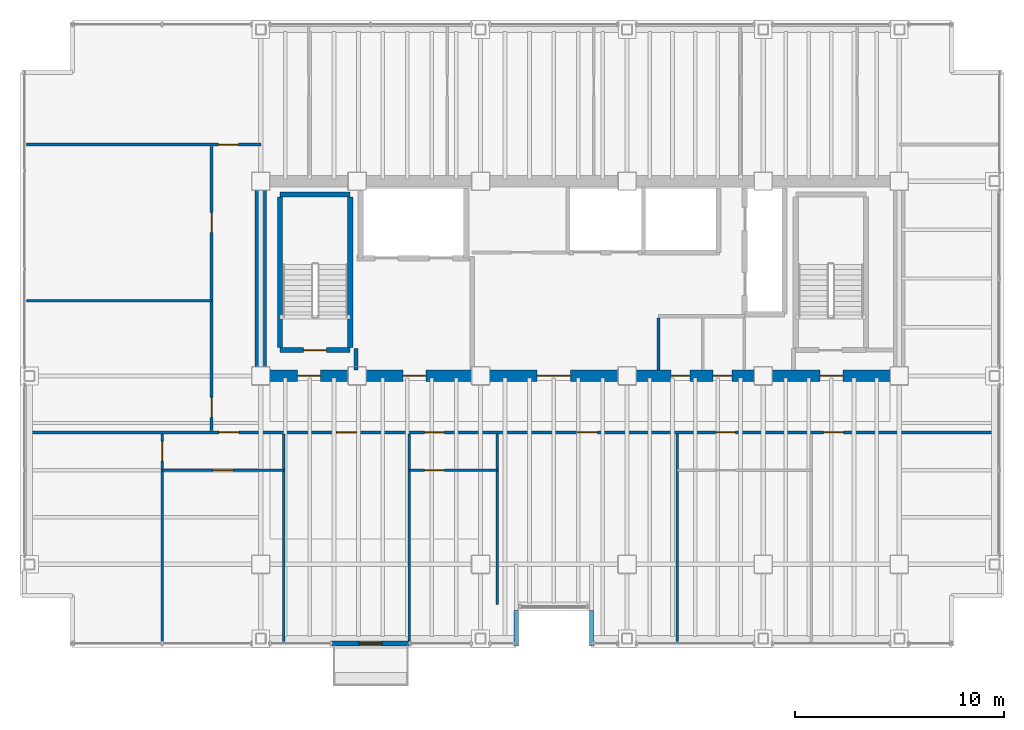
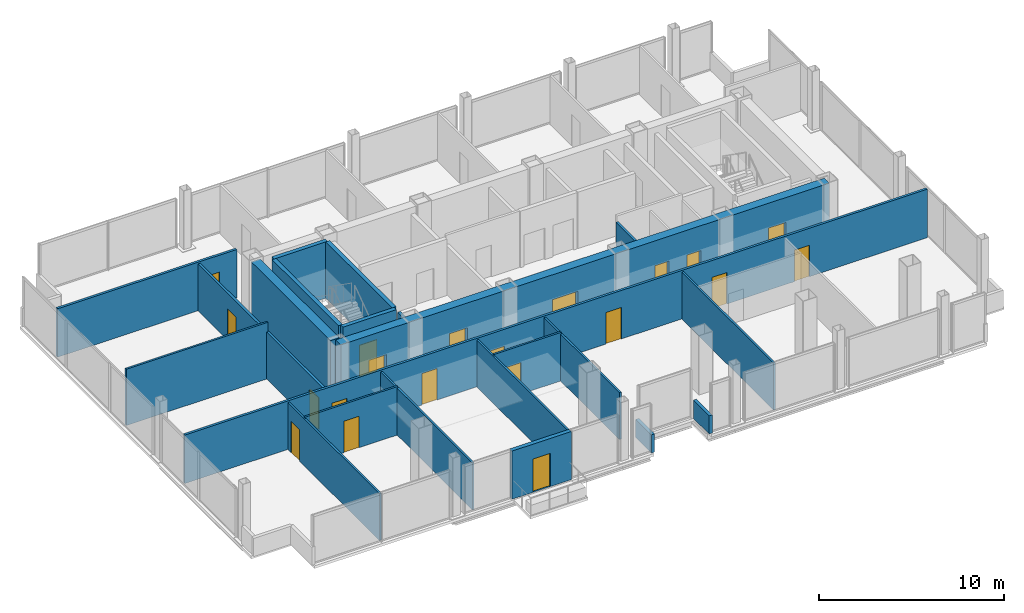
# One storey, part 16 of 19: 22 walls, 20 doors, 20 openings.
"""IFC4 building model written with IfcOpenShell, lengths in metres."""

from ifc_helpers import new_model, si_unit, direction, frame, frame_2d, origin, place, context, subcontext, project, spatial, rectangle, extrude, material, layer, layer_set, type_object, element, fill, save


model = new_model("IFC4")

# Units and contexts
model_context = context("Model", 3, precision=1e-05, world=origin(), true_north=direction((0.0, 1.0)))
body_context = subcontext(model_context, "Body", "Model", "MODEL_VIEW")
ifc_project = project(units=[si_unit("LENGTHUNIT", "METRE"), si_unit("AREAUNIT", "SQUARE_METRE"), si_unit("VOLUMEUNIT", "CUBIC_METRE"), si_unit("PLANEANGLEUNIT", "RADIAN"), si_unit("MASSUNIT", "GRAM", prefix="KILO")], contexts=[model_context])

# Site, building, storey
site_placement = place(None, origin())
site = spatial("IfcSite", under=ifc_project, at=site_placement, CompositionType="ELEMENT")
building_placement = place(site_placement, origin())
building = spatial("IfcBuilding", under=site, at=building_placement, Name="Noeulbin Bourse Tower", CompositionType="ELEMENT")
storey_placement = place(building_placement, frame((0.0, 0.0, 157.800048828125)))
storey = spatial("IfcBuildingStorey", under=building, at=storey_placement, Name="L39", CompositionType="ELEMENT", Elevation=157.800048828125)

# Wall, openings, doors
ifc_material_1 = material(Name="Concrete C60/75", Category="concrete")
ifc_layer_1 = layer(ifc_material_1, 0.550048828125)
ifc_layer_set_1 = layer_set([ifc_layer_1], Name="Concrete C60/75")
wall_type_1 = type_object("IfcWallType", Name="WAL-CORE-550", PredefinedType="SHEAR", material=ifc_layer_set_1)
wall_1_placement = place(storey_placement, frame((13.5, 29.0, 0.0), z_axis=(0.0, 0.0, 1.0), x_axis=(1.0, 0.0, 0.0)))
wall_1 = element("IfcWall", 1, at=wall_1_placement, inside=storey, type_object=wall_type_1, Name="Rear Core South Shear Wall L39", PredefinedType="SHEAR", context=body_context, shape_type="SweptSolid", body=[
    extrude(rectangle(XDim=30.5, YDim=0.550048828125, at=frame_2d((15.25, 0.0))), origin(), (0.0, 0.0, 1.0), 3.719970703125),
])
opening_1_placement = place(wall_1_placement, frame((1.75, 0.0, 0.0)))
opening_1 = element("IfcOpeningElement", 2, at=opening_1_placement, cuts=wall_1, Name="Opening FD-11", PredefinedType="OPENING", context=body_context, shape_type="SweptSolid", body=[
    extrude(rectangle(XDim=1.10009765625, YDim=2.080078125, at=frame_2d((0.550048828125, 1.0400390625))), frame((0.0, 0.284912109375, 0.0), z_axis=(0.0, -1.0, 0.0), x_axis=(1.0, 0.0, 0.0)), (0.0, 0.0, 1.0), 0.570068359375),
])
opening_2_placement = place(wall_1_placement, frame((26.699951171875, 0.0, 0.0)))
opening_2 = element("IfcOpeningElement", 3, at=opening_2_placement, cuts=wall_1, Name="Opening FD-11", PredefinedType="OPENING", context=body_context, shape_type="SweptSolid", body=[
    extrude(rectangle(XDim=1.10009765625, YDim=2.080078125, at=frame_2d((0.550048828125, 1.0400390625))), frame((0.0, 0.284912109375, 0.0), z_axis=(0.0, -1.0, 0.0), x_axis=(1.0, 0.0, 0.0)), (0.0, 0.0, 1.0), 0.570068359375),
])
opening_3_placement = place(wall_1_placement, frame((6.800048828125, 0.0, 0.0)))
opening_3 = element("IfcOpeningElement", 4, at=opening_3_placement, cuts=wall_1, Name="Opening FD-11", PredefinedType="OPENING", context=body_context, shape_type="SweptSolid", body=[
    extrude(rectangle(XDim=1.10009765625, YDim=2.080078125, at=frame_2d((0.550048828125, 1.0400390625))), frame((0.0, 0.284912109375, 0.0), z_axis=(0.0, -1.0, 0.0), x_axis=(1.0, 0.0, 0.0)), (0.0, 0.0, 1.0), 0.570068359375),
])
opening_4_placement = place(wall_1_placement, frame((13.199951171875, 0.0, 0.0)))
opening_4 = element("IfcOpeningElement", 5, at=opening_4_placement, cuts=wall_1, Name="Opening ID-16", PredefinedType="OPENING", context=body_context, shape_type="SweptSolid", body=[
    extrude(rectangle(XDim=1.60009765625, YDim=2.080078125, at=frame_2d((0.800048828125, 1.0400390625))), frame((0.0, 0.284912109375, 0.0), z_axis=(0.0, -1.0, 0.0), x_axis=(1.0, 0.0, 0.0)), (0.0, 0.0, 1.0), 0.570068359375),
])
opening_5_placement = place(wall_1_placement, frame((19.60009765625, 0.0, 0.0)))
opening_5 = element("IfcOpeningElement", 6, at=opening_5_placement, cuts=wall_1, Name="Opening FD-09", PredefinedType="OPENING", context=body_context, shape_type="SweptSolid", body=[
    extrude(rectangle(XDim=0.89990234375, YDim=2.080078125, at=frame_2d((0.449951171875, 1.0400390625))), frame((0.0, 0.284912109375, 0.0), z_axis=(0.0, -1.0, 0.0), x_axis=(1.0, 0.0, 0.0)), (0.0, 0.0, 1.0), 0.570068359375),
])
opening_6_placement = place(wall_1_placement, frame((21.60009765625, 0.0, 0.0)))
opening_6 = element("IfcOpeningElement", 7, at=opening_6_placement, cuts=wall_1, Name="Opening FD-09", PredefinedType="OPENING", context=body_context, shape_type="SweptSolid", body=[
    extrude(rectangle(XDim=0.89990234375, YDim=2.080078125, at=frame_2d((0.449951171875, 1.0400390625))), frame((0.0, 0.284912109375, 0.0), z_axis=(0.0, -1.0, 0.0), x_axis=(1.0, 0.0, 0.0)), (0.0, 0.0, 1.0), 0.570068359375),
])
ifc_material_2 = material(Name="Acoustic Glazed Aluminium", Category="aluminium")
door_type_1 = type_object("IfcDoorType", Name="DR-DBL-1600", OperationType="DOUBLE_DOOR_SINGLE_SWING", PredefinedType="DOOR", material=ifc_material_2)
door_1_placement = place(opening_4_placement, origin())
door_1 = element("IfcDoor", 8, at=door_1_placement, inside=storey, type_object=door_type_1, Name="Passenger Lift Lobby Portal L39", OperationType="DOUBLE_DOOR_SINGLE_SWING", OverallHeight=2.080078125, OverallWidth=1.60009765625, PredefinedType="DOOR", context=body_context, shape_type="SweptSolid", body=[
    extrude(rectangle(XDim=1.60009765625, YDim=2.080078125, at=frame_2d((0.800048828125, 1.0400390625))), frame((0.0, 0.02490234375, 0.0), z_axis=(0.0, -1.0, 0.0), x_axis=(1.0, 0.0, 0.0)), (0.0, 0.0, 1.0), 0.050048828125),
])
fill(opening_4, door_1)
ifc_material_3 = material(Name="Fire-Rated Timber Core", Category="wood")
door_type_2 = type_object("IfcDoorType", Name="DR-FD30-900", OperationType="SINGLE_SWING_RIGHT", PredefinedType="DOOR", material=ifc_material_3)
door_2_placement = place(opening_5_placement, origin())
door_2 = element("IfcDoor", 9, at=door_2_placement, inside=storey, type_object=door_type_2, Name="Interior Door L39-06", OperationType="SINGLE_SWING_RIGHT", OverallHeight=2.080078125, OverallWidth=0.89990234375, PredefinedType="DOOR", context=body_context, shape_type="SweptSolid", body=[
    extrude(rectangle(XDim=0.89990234375, YDim=2.080078125, at=frame_2d((0.449951171875, 1.0400390625))), frame((0.0, 0.02490234375, 0.0), z_axis=(0.0, -1.0, 0.0), x_axis=(1.0, 0.0, 0.0)), (0.0, 0.0, 1.0), 0.050048828125),
])
fill(opening_5, door_2)
door_3_placement = place(opening_6_placement, origin())
door_3 = element("IfcDoor", 10, at=door_3_placement, inside=storey, type_object=door_type_2, Name="Interior Door L39-07", OperationType="SINGLE_SWING_LEFT", OverallHeight=2.080078125, OverallWidth=0.89990234375, PredefinedType="DOOR", context=body_context, shape_type="SweptSolid", body=[
    extrude(rectangle(XDim=0.89990234375, YDim=2.080078125, at=frame_2d((0.449951171875, 1.0400390625))), frame((0.0, 0.02490234375, 0.0), z_axis=(0.0, -1.0, 0.0), x_axis=(1.0, 0.0, 0.0)), (0.0, 0.0, 1.0), 0.050048828125),
])
fill(opening_6, door_3)
ifc_material_4 = material(Name="Fire-Rated Insulated Steel", Category="steel")
door_type_3 = type_object("IfcDoorType", Name="DR-FD60-1100", OperationType="SINGLE_SWING_LEFT", PredefinedType="DOOR", material=ifc_material_4)
door_4_placement = place(opening_1_placement, origin())
door_4 = element("IfcDoor", 11, at=door_4_placement, inside=storey, type_object=door_type_3, Name="West Stair Lobby Door L39", OperationType="SINGLE_SWING_LEFT", OverallHeight=2.080078125, OverallWidth=1.10009765625, PredefinedType="DOOR", context=body_context, shape_type="SweptSolid", body=[
    extrude(rectangle(XDim=1.10009765625, YDim=2.080078125, at=frame_2d((0.550048828125, 1.0400390625))), frame((0.0, 0.02490234375, 0.0), z_axis=(0.0, -1.0, 0.0), x_axis=(1.0, 0.0, 0.0)), (0.0, 0.0, 1.0), 0.050048828125),
])
fill(opening_1, door_4)
door_5_placement = place(opening_2_placement, origin())
door_5 = element("IfcDoor", 12, at=door_5_placement, inside=storey, type_object=door_type_3, Name="East Stair Lobby Door L39", OperationType="SINGLE_SWING_RIGHT", OverallHeight=2.080078125, OverallWidth=1.10009765625, PredefinedType="DOOR", context=body_context, shape_type="SweptSolid", body=[
    extrude(rectangle(XDim=1.10009765625, YDim=2.080078125, at=frame_2d((0.550048828125, 1.0400390625))), frame((0.0, 0.02490234375, 0.0), z_axis=(0.0, -1.0, 0.0), x_axis=(1.0, 0.0, 0.0)), (0.0, 0.0, 1.0), 0.050048828125),
])
fill(opening_2, door_5)
door_6_placement = place(opening_3_placement, origin())
door_6 = element("IfcDoor", 13, at=door_6_placement, inside=storey, type_object=door_type_3, Name="Firefighting Lobby Door L39", OperationType="SINGLE_SWING_LEFT", OverallHeight=2.080078125, OverallWidth=1.10009765625, PredefinedType="DOOR", context=body_context, shape_type="SweptSolid", body=[
    extrude(rectangle(XDim=1.10009765625, YDim=2.080078125, at=frame_2d((0.550048828125, 1.0400390625))), frame((0.0, 0.02490234375, 0.0), z_axis=(0.0, -1.0, 0.0), x_axis=(1.0, 0.0, 0.0)), (0.0, 0.0, 1.0), 0.050048828125),
])
fill(opening_3, door_6)

# Wall
wall_2_placement = place(storey_placement, frame((13.5, 29.35009765625, 0.0), z_axis=(0.0, 0.0, 1.0), x_axis=(0.0, 1.0, 0.0)))
element("IfcWall", 14, at=wall_2_placement, inside=storey, type_object=wall_type_1, Name="Rear Core West Shear Wall L39", PredefinedType="SHEAR", context=body_context, shape_type="SweptSolid", body=[
    extrude(rectangle(XDim=8.599853515625, YDim=0.550048828125, at=frame_2d((4.2998046875, 0.0))), origin(), (0.0, 0.0, 1.0), 3.719970703125),
])

# Wall, opening, door
ifc_material_5 = material(Name="Precast Concrete C40/50", Category="concrete")
ifc_layer_2 = layer(ifc_material_5, 0.25)
ifc_layer_set_2 = layer_set([ifc_layer_2], Name="Precast Concrete C40/50")
wall_type_2 = type_object("IfcWallType", Name="WAL-EXT-250", PredefinedType="STANDARD", material=ifc_layer_set_2)
wall_3_placement = place(storey_placement, frame((16.89990234375, 16.219970703125, 0.0), z_axis=(0.0, 0.0, 1.0), x_axis=(1.0, 0.0, 0.0)))
wall_3 = element("IfcWall", 15, at=wall_3_placement, inside=storey, type_object=wall_type_2, Name="Balcony Threshold Wall L39", PredefinedType="STANDARD", context=body_context, shape_type="SweptSolid", body=[
    extrude(rectangle(XDim=3.7001953125, YDim=0.25, at=frame_2d((1.85009765625, 0.0))), origin(), (0.0, 0.0, 1.0), 3.179931640625),
])
opening_7_placement = place(wall_3_placement, frame((1.300048828125, 0.0, 0.0)))
opening_7 = element("IfcOpeningElement", 16, at=opening_7_placement, cuts=wall_3, Name="Opening BD-11", PredefinedType="OPENING", context=body_context, shape_type="SweptSolid", body=[
    extrude(rectangle(XDim=1.10009765625, YDim=2.199951171875, at=frame_2d((0.550048828125, 1.10009765625))), frame((0.0, 0.135009765625, 0.0), z_axis=(0.0, -1.0, 0.0), x_axis=(1.0, 0.0, 0.0)), (0.0, 0.0, 1.0), 0.27001953125),
])
ifc_material_6 = material(Name="Thermally Broken Aluminium Framed Glass", Category="aluminium")
door_type_4 = type_object("IfcDoorType", Name="DR-BAL-1100", OperationType="SINGLE_SWING_LEFT", PredefinedType="DOOR", material=ifc_material_6)
door_7_placement = place(opening_7_placement, origin())
door_7 = element("IfcDoor", 17, at=door_7_placement, inside=storey, type_object=door_type_4, Name="Tree-Balcony Access Door BD-L39", OperationType="SINGLE_SWING_LEFT", OverallHeight=2.199951171875, OverallWidth=1.10009765625, PredefinedType="DOOR", context=body_context, shape_type="SweptSolid", body=[
    extrude(rectangle(XDim=1.10009765625, YDim=2.199951171875, at=frame_2d((0.550048828125, 1.10009765625))), frame((0.0, 0.02490234375, 0.0), z_axis=(0.0, -1.0, 0.0), x_axis=(1.0, 0.0, 0.0)), (0.0, 0.0, 1.0), 0.050048828125),
])
fill(opening_7, door_7)

# Walls
ifc_material_7 = material(Name="Concrete C40/50", Category="concrete")
ifc_layer_3 = layer(ifc_material_7, 0.199951171875)
ifc_layer_set_3 = layer_set([ifc_layer_3], Name="Concrete C40/50")
wall_type_3 = type_object("IfcWallType", Name="WAL-FIRE-200", PredefinedType="STANDARD", material=ifc_layer_set_3)
wall_4_placement = place(storey_placement, frame((18.050048828125, 29.284912109375, 0.0), z_axis=(0.0, 0.0, 1.0), x_axis=(0.0, 1.0, 0.0)))
element("IfcWall", 18, at=wall_4_placement, inside=storey, type_object=wall_type_3, Name="Interior Partition Wall L39-11", PredefinedType="STANDARD", context=body_context, shape_type="SweptSolid", body=[
    extrude(rectangle(XDim=1.01513671875, YDim=0.199951171875, at=frame_2d((0.507568359375, 0.0))), origin(), (0.0, 0.0, 1.0), 3.349853515625),
])
ifc_layer_4 = layer(ifc_material_7, 0.199951171875)
ifc_layer_set_4 = layer_set([ifc_layer_4], Name="Concrete C40/50")
wall_type_4 = type_object("IfcWallType", Name="WAL-PAR-200", PredefinedType="PARAPET", material=ifc_layer_set_4)
for number, where, z_axis, x_axis, name in (
    (19, (25.699951171875, 16.10009765625, 0.0), (0.0, 0.0, 1.0), (0.0, 1.0, 0.0), "Sky-Garden Recess Parapet L39-W"),
    (20, (29.300048828125, 17.800048828125, 0.0), (0.0, 0.0, 1.0), (0.0, -1.0, 0.0), "Sky-Garden Recess Parapet L39-E"),
):
    element("IfcWall", number, at=place(storey_placement, frame(where, z_axis=z_axis, x_axis=x_axis)), inside=storey, type_object=wall_type_4, Name=name, PredefinedType="PARAPET", context=body_context, shape_type="SweptSolid", body=[
        extrude(rectangle(XDim=1.699951171875, YDim=0.199951171875, at=frame_2d((0.85009765625, 0.0))), origin(), (0.0, 0.0, 1.0), 1.199951171875),
    ])

# Wall, opening, door
ifc_material_8 = material(Name="Steel Stud Gypsum Partition", Category="steel")
ifc_layer_5 = layer(ifc_material_8, 0.1201171875)
ifc_layer_set_5 = layer_set([ifc_layer_5], Name="Steel Stud Gypsum Partition")
wall_type_5 = type_object("IfcWallType", Name="WAL-PRT-120", PredefinedType="PARTITIONING", material=ifc_layer_set_5)
wall_5_placement = place(storey_placement, frame((8.800048828125, 24.5, 0.0), z_axis=(0.0, 0.0, 1.0), x_axis=(1.0, 0.0, 0.0)))
wall_5 = element("IfcWall", 21, at=wall_5_placement, inside=storey, type_object=wall_type_5, Name="Interior Partition Wall L39-05", PredefinedType="PARTITIONING", context=body_context, shape_type="SweptSolid", body=[
    extrude(rectangle(XDim=5.800048828125, YDim=0.1201171875, at=frame_2d((2.89990234375, 0.0))), origin(), (0.0, 0.0, 1.0), 3.199951171875),
])
opening_8_placement = place(wall_5_placement, frame((2.425048828125, 0.0, 0.0)))
opening_8 = element("IfcOpeningElement", 22, at=opening_8_placement, cuts=wall_5, Name="Opening ID-09", PredefinedType="OPENING", context=body_context, shape_type="SweptSolid", body=[
    extrude(rectangle(XDim=0.949951171875, YDim=2.080078125, at=frame_2d((0.47509765625, 1.0400390625))), frame((0.0, 0.070068359375, 0.0), z_axis=(0.0, -1.0, 0.0), x_axis=(1.0, 0.0, 0.0)), (0.0, 0.0, 1.0), 0.14013671875),
])
ifc_material_9 = material(Name="Acoustic Solid-Core Timber", Category="wood")
door_type_5 = type_object("IfcDoorType", Name="DR-SINGLE-950", OperationType="SINGLE_SWING_LEFT", PredefinedType="DOOR", material=ifc_material_9)
door_8_placement = place(opening_8_placement, origin())
door_8 = element("IfcDoor", 23, at=door_8_placement, inside=storey, type_object=door_type_5, Name="Interior Door L39-09", OperationType="SINGLE_SWING_LEFT", OverallHeight=2.080078125, OverallWidth=0.949951171875, PredefinedType="DOOR", context=body_context, shape_type="SweptSolid", body=[
    extrude(rectangle(XDim=0.949951171875, YDim=2.080078125, at=frame_2d((0.47509765625, 1.0400390625))), frame((0.0, 0.02490234375, 0.0), z_axis=(0.0, -1.0, 0.0), x_axis=(1.0, 0.0, 0.0)), (0.0, 0.0, 1.0), 0.050048828125),
])
fill(opening_8, door_8)

wall_6_placement = place(storey_placement, frame((20.60009765625, 24.5, 0.0), z_axis=(0.0, 0.0, 1.0), x_axis=(1.0, 0.0, 0.0)))
wall_6 = element("IfcWall", 24, at=wall_6_placement, inside=storey, type_object=wall_type_5, Name="Interior Partition Wall L39-06", PredefinedType="PARTITIONING", context=body_context, shape_type="SweptSolid", body=[
    extrude(rectangle(XDim=4.199951171875, YDim=0.1201171875, at=frame_2d((2.10009765625, 0.0))), origin(), (0.0, 0.0, 1.0), 3.199951171875),
])
opening_9_placement = place(wall_6_placement, frame((0.72509765625, 0.0, 0.0)))
opening_9 = element("IfcOpeningElement", 25, at=opening_9_placement, cuts=wall_6, Name="Opening ID-09", PredefinedType="OPENING", context=body_context, shape_type="SweptSolid", body=[
    extrude(rectangle(XDim=0.949951171875, YDim=2.080078125, at=frame_2d((0.47509765625, 1.0400390625))), frame((0.0, 0.070068359375, 0.0), z_axis=(0.0, -1.0, 0.0), x_axis=(1.0, 0.0, 0.0)), (0.0, 0.0, 1.0), 0.14013671875),
])
door_9_placement = place(opening_9_placement, origin())
door_9 = element("IfcDoor", 26, at=door_9_placement, inside=storey, type_object=door_type_5, Name="Interior Door L39-12", OperationType="SINGLE_SWING_RIGHT", OverallHeight=2.080078125, OverallWidth=0.949951171875, PredefinedType="DOOR", context=body_context, shape_type="SweptSolid", body=[
    extrude(rectangle(XDim=0.949951171875, YDim=2.080078125, at=frame_2d((0.47509765625, 1.0400390625))), frame((0.0, 0.02490234375, 0.0), z_axis=(0.0, -1.0, 0.0), x_axis=(1.0, 0.0, 0.0)), (0.0, 0.0, 1.0), 0.050048828125),
])
fill(opening_9, door_9)

# Wall
wall_7_placement = place(storey_placement, frame((2.31005859375, 32.60009765625, 0.0), z_axis=(0.0, 0.0, 1.0), x_axis=(1.0, 0.0, 0.0)))
element("IfcWall", 27, at=wall_7_placement, inside=storey, type_object=wall_type_5, Name="Interior Partition Wall L39-08", PredefinedType="PARTITIONING", context=body_context, shape_type="SweptSolid", body=[
    extrude(rectangle(XDim=8.83984375, YDim=0.1201171875, at=frame_2d((4.419921875, 0.0))), origin(), (0.0, 0.0, 1.0), 3.719970703125),
])

# Wall, opening, door
wall_8_placement = place(storey_placement, frame((8.800048828125, 16.31005859375, 0.0), z_axis=(0.0, 0.0, 1.0), x_axis=(0.0, 1.0, 0.0)))
wall_8 = element("IfcWall", 28, at=wall_8_placement, inside=storey, type_object=wall_type_5, Name="Interior Partition Wall L39-18", PredefinedType="PARTITIONING", context=body_context, shape_type="SweptSolid", body=[
    extrude(rectangle(XDim=9.905029296875, YDim=0.1201171875, at=frame_2d((4.95263671875, 0.0))), origin(), (0.0, 0.0, 1.0), 3.099853515625),
])
opening_10_placement = place(wall_8_placement, frame((8.614990234375, 0.0, 0.0)))
opening_10 = element("IfcOpeningElement", 29, at=opening_10_placement, cuts=wall_8, Name="Opening ID-09", PredefinedType="OPENING", context=body_context, shape_type="SweptSolid", body=[
    extrude(rectangle(XDim=0.949951171875, YDim=2.080078125, at=frame_2d((0.47509765625, 1.0400390625))), frame((0.0, 0.070068359375, 0.0), z_axis=(0.0, -1.0, 0.0), x_axis=(1.0, 0.0, 0.0)), (0.0, 0.0, 1.0), 0.14013671875),
])
door_10_placement = place(opening_10_placement, origin())
door_10 = element("IfcDoor", 30, at=door_10_placement, inside=storey, type_object=door_type_5, Name="Interior Door L39-08", OperationType="SINGLE_SWING_RIGHT", OverallHeight=2.080078125, OverallWidth=0.949951171875, PredefinedType="DOOR", context=body_context, shape_type="SweptSolid", body=[
    extrude(rectangle(XDim=0.949951171875, YDim=2.080078125, at=frame_2d((0.47509765625, 1.0400390625))), frame((0.0, 0.02490234375, 0.0), z_axis=(0.0, -1.0, 0.0), x_axis=(1.0, 0.0, 0.0)), (0.0, 0.0, 1.0), 0.050048828125),
])
fill(opening_10, door_10)

# Walls
for number, where, z_axis, x_axis, name in (
    (31, (14.60009765625, 16.31005859375, 0.0), (0.0, 0.0, 1.0), (0.0, 1.0, 0.0), "Interior Partition Wall L39-19"),
    (32, (20.60009765625, 16.31005859375, 0.0), (0.0, 0.0, 1.0), (0.0, 1.0, 0.0), "Interior Partition Wall L39-20"),
):
    element("IfcWall", number, at=place(storey_placement, frame(where, z_axis=z_axis, x_axis=x_axis)), inside=storey, type_object=wall_type_5, Name=name, PredefinedType="PARTITIONING", context=body_context, shape_type="SweptSolid", body=[
        extrude(rectangle(XDim=9.905029296875, YDim=0.1201171875, at=frame_2d((4.95263671875, 0.0))), origin(), (0.0, 0.0, 1.0), 3.099853515625),
    ])
wall_9_placement = place(storey_placement, frame((24.800048828125, 18.070068359375, 0.0), z_axis=(0.0, 0.0, 1.0), x_axis=(0.0, 1.0, 0.0)))
element("IfcWall", 33, at=wall_9_placement, inside=storey, type_object=wall_type_5, Name="Interior Partition Wall L39-21", PredefinedType="PARTITIONING", context=body_context, shape_type="SweptSolid", body=[
    extrude(rectangle(XDim=8.14501953125, YDim=0.1201171875, at=frame_2d((4.072509765625, 0.0))), origin(), (0.0, 0.0, 1.0), 3.099853515625),
])
wall_10_placement = place(storey_placement, frame((33.39990234375, 16.31005859375, 0.0), z_axis=(0.0, 0.0, 1.0), x_axis=(0.0, 1.0, 0.0)))
element("IfcWall", 34, at=wall_10_placement, inside=storey, type_object=wall_type_5, Name="Interior Partition Wall L39-22", PredefinedType="PARTITIONING", context=body_context, shape_type="SweptSolid", body=[
    extrude(rectangle(XDim=9.905029296875, YDim=0.1201171875, at=frame_2d((4.95263671875, 0.0))), origin(), (0.0, 0.0, 1.0), 3.099853515625),
])

# Wall, openings, doors
ifc_material_10 = material(Name="Steel Stud Acoustic Gypsum Board", Category="steel")
ifc_layer_6 = layer(ifc_material_10, 0.14990234375)
ifc_layer_set_6 = layer_set([ifc_layer_6], Name="Steel Stud Acoustic Gypsum Board")
wall_type_6 = type_object("IfcWallType", Name="WAL-PRT-150", PredefinedType="PARTITIONING", material=ifc_layer_set_6)
wall_11_placement = place(storey_placement, frame((2.31005859375, 26.300048828125, 0.0), z_axis=(0.0, 0.0, 1.0), x_axis=(1.0, 0.0, 0.0)))
wall_11 = element("IfcWall", 35, at=wall_11_placement, inside=storey, type_object=wall_type_6, Name="Interior Partition Wall L39-04", PredefinedType="PARTITIONING", context=body_context, shape_type="SweptSolid", body=[
    extrude(rectangle(XDim=46.3798828125, YDim=0.14990234375, at=frame_2d((23.18994140625, 0.0))), origin(), (0.0, 0.0, 1.0), 3.199951171875),
])
opening_11_placement = place(wall_11_placement, frame((9.18994140625, 0.0, 0.0)))
opening_11 = element("IfcOpeningElement", 36, at=opening_11_placement, cuts=wall_11, Name="Opening ID-09", PredefinedType="OPENING", context=body_context, shape_type="SweptSolid", body=[
    extrude(rectangle(XDim=0.949951171875, YDim=2.080078125, at=frame_2d((0.47509765625, 1.0400390625))), frame((0.0, 0.0849609375, 0.0), z_axis=(0.0, -1.0, 0.0), x_axis=(1.0, 0.0, 0.0)), (0.0, 0.0, 1.0), 0.169921875),
])
opening_12_placement = place(wall_11_placement, frame((14.81494140625, 0.0, 0.0)))
opening_12 = element("IfcOpeningElement", 37, at=opening_12_placement, cuts=wall_11, Name="Opening ID-09", PredefinedType="OPENING", context=body_context, shape_type="SweptSolid", body=[
    extrude(rectangle(XDim=0.949951171875, YDim=2.080078125, at=frame_2d((0.47509765625, 1.0400390625))), frame((0.0, 0.0849609375, 0.0), z_axis=(0.0, -1.0, 0.0), x_axis=(1.0, 0.0, 0.0)), (0.0, 0.0, 1.0), 0.169921875),
])
opening_13_placement = place(wall_11_placement, frame((19.014892578125, 0.0, 0.0)))
opening_13 = element("IfcOpeningElement", 38, at=opening_13_placement, cuts=wall_11, Name="Opening ID-09", PredefinedType="OPENING", context=body_context, shape_type="SweptSolid", body=[
    extrude(rectangle(XDim=0.949951171875, YDim=2.080078125, at=frame_2d((0.47509765625, 1.0400390625))), frame((0.0, 0.0849609375, 0.0), z_axis=(0.0, -1.0, 0.0), x_axis=(1.0, 0.0, 0.0)), (0.0, 0.0, 1.0), 0.169921875),
])
opening_14_placement = place(wall_11_placement, frame((26.31494140625, 0.0, 0.0)))
opening_14 = element("IfcOpeningElement", 39, at=opening_14_placement, cuts=wall_11, Name="Opening ID-09", PredefinedType="OPENING", context=body_context, shape_type="SweptSolid", body=[
    extrude(rectangle(XDim=0.949951171875, YDim=2.080078125, at=frame_2d((0.47509765625, 1.0400390625))), frame((0.0, 0.0849609375, 0.0), z_axis=(0.0, -1.0, 0.0), x_axis=(1.0, 0.0, 0.0)), (0.0, 0.0, 1.0), 0.169921875),
])
opening_15_placement = place(wall_11_placement, frame((32.9150390625, 0.0, 0.0)))
opening_15 = element("IfcOpeningElement", 40, at=opening_15_placement, cuts=wall_11, Name="Opening ID-09", PredefinedType="OPENING", context=body_context, shape_type="SweptSolid", body=[
    extrude(rectangle(XDim=0.949951171875, YDim=2.080078125, at=frame_2d((0.47509765625, 1.0400390625))), frame((0.0, 0.0849609375, 0.0), z_axis=(0.0, -1.0, 0.0), x_axis=(1.0, 0.0, 0.0)), (0.0, 0.0, 1.0), 0.169921875),
])
opening_16_placement = place(wall_11_placement, frame((38.06494140625, 0.0, 0.0)))
opening_16 = element("IfcOpeningElement", 41, at=opening_16_placement, cuts=wall_11, Name="Opening ID-09", PredefinedType="OPENING", context=body_context, shape_type="SweptSolid", body=[
    extrude(rectangle(XDim=0.949951171875, YDim=2.080078125, at=frame_2d((0.47509765625, 1.0400390625))), frame((0.0, 0.0849609375, 0.0), z_axis=(0.0, -1.0, 0.0), x_axis=(1.0, 0.0, 0.0)), (0.0, 0.0, 1.0), 0.169921875),
])
door_11_placement = place(opening_11_placement, origin())
door_11 = element("IfcDoor", 42, at=door_11_placement, inside=storey, type_object=door_type_5, Name="Interior Door L39-10", OperationType="SINGLE_SWING_RIGHT", OverallHeight=2.080078125, OverallWidth=0.949951171875, PredefinedType="DOOR", context=body_context, shape_type="SweptSolid", body=[
    extrude(rectangle(XDim=0.949951171875, YDim=2.080078125, at=frame_2d((0.47509765625, 1.0400390625))), frame((0.0, 0.02490234375, 0.0), z_axis=(0.0, -1.0, 0.0), x_axis=(1.0, 0.0, 0.0)), (0.0, 0.0, 1.0), 0.050048828125),
])
fill(opening_11, door_11)
door_12_placement = place(opening_12_placement, origin())
door_12 = element("IfcDoor", 43, at=door_12_placement, inside=storey, type_object=door_type_5, Name="Interior Door L39-11", OperationType="SINGLE_SWING_LEFT", OverallHeight=2.080078125, OverallWidth=0.949951171875, PredefinedType="DOOR", context=body_context, shape_type="SweptSolid", body=[
    extrude(rectangle(XDim=0.949951171875, YDim=2.080078125, at=frame_2d((0.47509765625, 1.0400390625))), frame((0.0, 0.02490234375, 0.0), z_axis=(0.0, -1.0, 0.0), x_axis=(1.0, 0.0, 0.0)), (0.0, 0.0, 1.0), 0.050048828125),
])
fill(opening_12, door_12)
door_13_placement = place(opening_13_placement, origin())
door_13 = element("IfcDoor", 44, at=door_13_placement, inside=storey, type_object=door_type_5, Name="Interior Door L39-13", OperationType="SINGLE_SWING_LEFT", OverallHeight=2.080078125, OverallWidth=0.949951171875, PredefinedType="DOOR", context=body_context, shape_type="SweptSolid", body=[
    extrude(rectangle(XDim=0.949951171875, YDim=2.080078125, at=frame_2d((0.47509765625, 1.0400390625))), frame((0.0, 0.02490234375, 0.0), z_axis=(0.0, -1.0, 0.0), x_axis=(1.0, 0.0, 0.0)), (0.0, 0.0, 1.0), 0.050048828125),
])
fill(opening_13, door_13)
door_14_placement = place(opening_14_placement, origin())
door_14 = element("IfcDoor", 45, at=door_14_placement, inside=storey, type_object=door_type_5, Name="Interior Door L39-14", OperationType="SINGLE_SWING_RIGHT", OverallHeight=2.080078125, OverallWidth=0.949951171875, PredefinedType="DOOR", context=body_context, shape_type="SweptSolid", body=[
    extrude(rectangle(XDim=0.949951171875, YDim=2.080078125, at=frame_2d((0.47509765625, 1.0400390625))), frame((0.0, 0.02490234375, 0.0), z_axis=(0.0, -1.0, 0.0), x_axis=(1.0, 0.0, 0.0)), (0.0, 0.0, 1.0), 0.050048828125),
])
fill(opening_14, door_14)
door_15_placement = place(opening_15_placement, origin())
door_15 = element("IfcDoor", 46, at=door_15_placement, inside=storey, type_object=door_type_5, Name="Interior Door L39-16", OperationType="SINGLE_SWING_RIGHT", OverallHeight=2.080078125, OverallWidth=0.949951171875, PredefinedType="DOOR", context=body_context, shape_type="SweptSolid", body=[
    extrude(rectangle(XDim=0.949951171875, YDim=2.080078125, at=frame_2d((0.47509765625, 1.0400390625))), frame((0.0, 0.02490234375, 0.0), z_axis=(0.0, -1.0, 0.0), x_axis=(1.0, 0.0, 0.0)), (0.0, 0.0, 1.0), 0.050048828125),
])
fill(opening_15, door_15)
door_16_placement = place(opening_16_placement, origin())
door_16 = element("IfcDoor", 47, at=door_16_placement, inside=storey, type_object=door_type_5, Name="Interior Door L39-17", OperationType="SINGLE_SWING_LEFT", OverallHeight=2.080078125, OverallWidth=0.949951171875, PredefinedType="DOOR", context=body_context, shape_type="SweptSolid", body=[
    extrude(rectangle(XDim=0.949951171875, YDim=2.080078125, at=frame_2d((0.47509765625, 1.0400390625))), frame((0.0, 0.02490234375, 0.0), z_axis=(0.0, -1.0, 0.0), x_axis=(1.0, 0.0, 0.0)), (0.0, 0.0, 1.0), 0.050048828125),
])
fill(opening_16, door_16)

# Wall, opening, door
wall_12_placement = place(storey_placement, frame((2.31005859375, 40.050048828125, 0.0), z_axis=(0.0, 0.0, 1.0), x_axis=(1.0, 0.0, 0.0)))
wall_12 = element("IfcWall", 48, at=wall_12_placement, inside=storey, type_object=wall_type_6, Name="Interior Partition Wall L39-09", PredefinedType="PARTITIONING", context=body_context, shape_type="SweptSolid", body=[
    extrude(rectangle(XDim=11.18994140625, YDim=0.14990234375, at=frame_2d((5.594970703125, 0.0))), origin(), (0.0, 0.0, 1.0), 3.199951171875),
])
opening_17_placement = place(wall_12_placement, frame((9.1650390625, 0.0, 0.0)))
opening_17 = element("IfcOpeningElement", 49, at=opening_17_placement, cuts=wall_12, Name="Opening ID-09", PredefinedType="OPENING", context=body_context, shape_type="SweptSolid", body=[
    extrude(rectangle(XDim=0.949951171875, YDim=2.080078125, at=frame_2d((0.47509765625, 1.0400390625))), frame((0.0, 0.0849609375, 0.0), z_axis=(0.0, -1.0, 0.0), x_axis=(1.0, 0.0, 0.0)), (0.0, 0.0, 1.0), 0.169921875),
])
door_17_placement = place(opening_17_placement, origin())
door_17 = element("IfcDoor", 50, at=door_17_placement, inside=storey, type_object=door_type_5, Name="Interior Door L39-20", OperationType="SINGLE_SWING_RIGHT", OverallHeight=2.080078125, OverallWidth=0.949951171875, PredefinedType="DOOR", context=body_context, shape_type="SweptSolid", body=[
    extrude(rectangle(XDim=0.949951171875, YDim=2.080078125, at=frame_2d((0.47509765625, 1.0400390625))), frame((0.0, 0.02490234375, 0.0), z_axis=(0.0, -1.0, 0.0), x_axis=(1.0, 0.0, 0.0)), (0.0, 0.0, 1.0), 0.050048828125),
])
fill(opening_17, door_17)

# Wall
wall_13_placement = place(storey_placement, frame((32.5, 29.284912109375, 0.0), z_axis=(0.0, 0.0, 1.0), x_axis=(0.0, 1.0, 0.0)))
element("IfcWall", 51, at=wall_13_placement, inside=storey, type_object=wall_type_6, Name="Interior Partition Wall L39-14", PredefinedType="PARTITIONING", context=body_context, shape_type="SweptSolid", body=[
    extrude(rectangle(XDim=2.47998046875, YDim=0.14990234375, at=frame_2d((1.239990234375, 0.0))), origin(), (0.0, 0.0, 1.0), 3.349853515625),
])

# Wall, openings, doors
wall_14_placement = place(storey_placement, frame((11.14990234375, 26.385009765625, 0.0), z_axis=(0.0, 0.0, 1.0), x_axis=(0.0, 1.0, 0.0)))
wall_14 = element("IfcWall", 52, at=wall_14_placement, inside=storey, type_object=wall_type_6, Name="Interior Partition Wall L39-17", PredefinedType="PARTITIONING", context=body_context, shape_type="SweptSolid", body=[
    extrude(rectangle(XDim=13.580078125, YDim=0.14990234375, at=frame_2d((6.7900390625, 0.0))), origin(), (0.0, 0.0, 1.0), 3.099853515625),
])
opening_18_placement = place(wall_14_placement, frame((0.639892578125, 0.0, 0.0)))
opening_18 = element("IfcOpeningElement", 53, at=opening_18_placement, cuts=wall_14, Name="Opening ID-09", PredefinedType="OPENING", context=body_context, shape_type="SweptSolid", body=[
    extrude(rectangle(XDim=0.949951171875, YDim=2.080078125, at=frame_2d((0.47509765625, 1.0400390625))), frame((0.0, 0.0849609375, 0.0), z_axis=(0.0, -1.0, 0.0), x_axis=(1.0, 0.0, 0.0)), (0.0, 0.0, 1.0), 0.169921875),
])
opening_19_placement = place(wall_14_placement, frame((9.465087890625, 0.0, 0.0)))
opening_19 = element("IfcOpeningElement", 54, at=opening_19_placement, cuts=wall_14, Name="Opening ID-09", PredefinedType="OPENING", context=body_context, shape_type="SweptSolid", body=[
    extrude(rectangle(XDim=0.949951171875, YDim=2.080078125, at=frame_2d((0.47509765625, 1.0400390625))), frame((0.0, 0.0849609375, 0.0), z_axis=(0.0, -1.0, 0.0), x_axis=(1.0, 0.0, 0.0)), (0.0, 0.0, 1.0), 0.169921875),
])
door_18_placement = place(opening_18_placement, origin())
door_18 = element("IfcDoor", 55, at=door_18_placement, inside=storey, type_object=door_type_5, Name="Interior Door L39-18", OperationType="SINGLE_SWING_RIGHT", OverallHeight=2.080078125, OverallWidth=0.949951171875, PredefinedType="DOOR", context=body_context, shape_type="SweptSolid", body=[
    extrude(rectangle(XDim=0.949951171875, YDim=2.080078125, at=frame_2d((0.47509765625, 1.0400390625))), frame((0.0, 0.02490234375, 0.0), z_axis=(0.0, -1.0, 0.0), x_axis=(1.0, 0.0, 0.0)), (0.0, 0.0, 1.0), 0.050048828125),
])
fill(opening_18, door_18)
door_19_placement = place(opening_19_placement, origin())
door_19 = element("IfcDoor", 56, at=door_19_placement, inside=storey, type_object=door_type_5, Name="Interior Door L39-19", OperationType="SINGLE_SWING_LEFT", OverallHeight=2.080078125, OverallWidth=0.949951171875, PredefinedType="DOOR", context=body_context, shape_type="SweptSolid", body=[
    extrude(rectangle(XDim=0.949951171875, YDim=2.080078125, at=frame_2d((0.47509765625, 1.0400390625))), frame((0.0, 0.02490234375, 0.0), z_axis=(0.0, -1.0, 0.0), x_axis=(1.0, 0.0, 0.0)), (0.0, 0.0, 1.0), 0.050048828125),
])
fill(opening_19, door_19)

# Wall, opening, door
ifc_layer_7 = layer(ifc_material_7, 0.25)
ifc_layer_set_7 = layer_set([ifc_layer_7], Name="Concrete C40/50")
wall_type_7 = type_object("IfcWallType", Name="WAL-SHFT-250", PredefinedType="STANDARD", material=ifc_layer_set_7)
wall_15_placement = place(storey_placement, frame((14.429931640625, 30.235107421875, 0.0), z_axis=(0.0, 0.0, 1.0), x_axis=(1.0, 0.0, 0.0)))
wall_15 = element("IfcWall", 57, at=wall_15_placement, inside=storey, type_object=wall_type_7, Name="Stair ST-1 South Shaft Wall L39", PredefinedType="STANDARD", context=body_context, shape_type="SweptSolid", body=[
    extrude(rectangle(XDim=3.340087890625, YDim=0.25, at=frame_2d((1.669921875, 0.0))), origin(), (0.0, 0.0, 1.0), 3.719970703125),
])
opening_20_placement = place(wall_15_placement, frame((1.10009765625, 0.0, 0.0)))
opening_20 = element("IfcOpeningElement", 58, at=opening_20_placement, cuts=wall_15, Name="Opening FD-11", PredefinedType="OPENING", context=body_context, shape_type="SweptSolid", body=[
    extrude(rectangle(XDim=1.10009765625, YDim=2.080078125, at=frame_2d((0.550048828125, 1.0400390625))), frame((0.0, 0.135009765625, 0.0), z_axis=(0.0, -1.0, 0.0), x_axis=(1.0, 0.0, 0.0)), (0.0, 0.0, 1.0), 0.27001953125),
])
door_20_placement = place(opening_20_placement, origin())
door_20 = element("IfcDoor", 59, at=door_20_placement, inside=storey, type_object=door_type_3, Name="Protected Stair Entry Door ST1-L39", OperationType="SINGLE_SWING_LEFT", OverallHeight=2.080078125, OverallWidth=1.10009765625, PredefinedType="DOOR", context=body_context, shape_type="SweptSolid", body=[
    extrude(rectangle(XDim=1.10009765625, YDim=2.080078125, at=frame_2d((0.550048828125, 1.0400390625))), frame((0.0, 0.02490234375, 0.0), z_axis=(0.0, -1.0, 0.0), x_axis=(1.0, 0.0, 0.0)), (0.0, 0.0, 1.0), 0.050048828125),
])
fill(opening_20, door_20)

# Walls
wall_16_placement = place(storey_placement, frame((14.429931640625, 37.6689453125, 0.0), z_axis=(0.0, 0.0, 1.0), x_axis=(1.0, 0.0, 0.0)))
element("IfcWall", 60, at=wall_16_placement, inside=storey, type_object=wall_type_7, Name="Stair ST-1 North Shaft Wall L39", PredefinedType="STANDARD", context=body_context, shape_type="SweptSolid", body=[
    extrude(rectangle(XDim=3.340087890625, YDim=0.25, at=frame_2d((1.669921875, 0.0))), origin(), (0.0, 0.0, 1.0), 3.719970703125),
])
for number, where, z_axis, x_axis, name in (
    (61, (14.425048828125, 30.360107421875, 0.0), (0.0, 0.0, 1.0), (0.0, 1.0, 0.0), "Stair ST-1 West Shaft Wall L39"),
    (62, (17.77490234375, 30.360107421875, 0.0), (0.0, 0.0, 1.0), (0.0, 1.0, 0.0), "Stair ST-1 East Shaft Wall L39"),
):
    element("IfcWall", number, at=place(storey_placement, frame(where, z_axis=z_axis, x_axis=x_axis)), inside=storey, type_object=wall_type_7, Name=name, PredefinedType="STANDARD", context=body_context, shape_type="SweptSolid", body=[
        extrude(rectangle(XDim=7.183837890625, YDim=0.25, at=frame_2d((3.591796875, 0.0))), origin(), (0.0, 0.0, 1.0), 3.719970703125),
    ])

save(model, "model.ifc")
